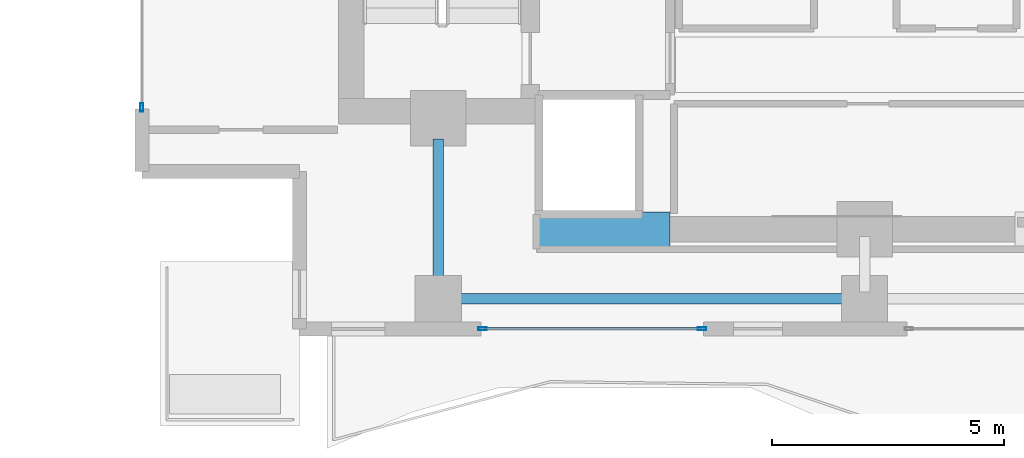
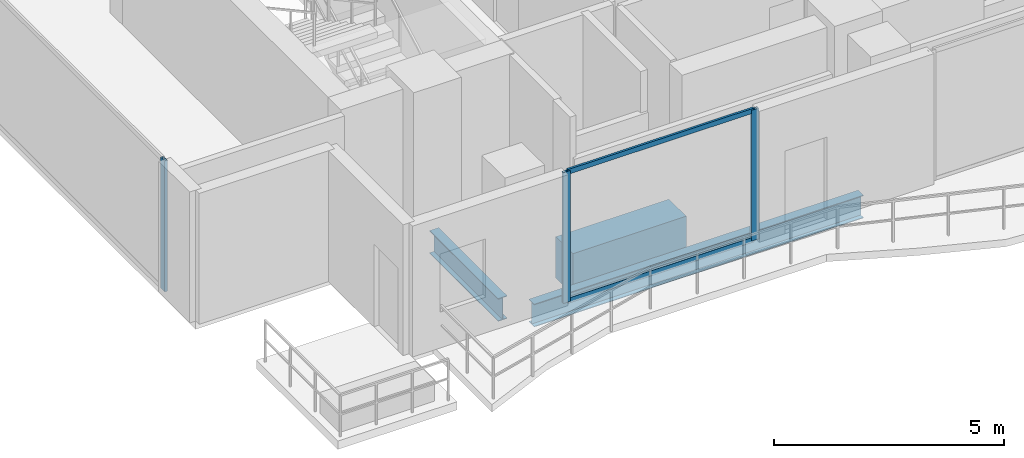
# One storey, part 2 of 25: 5 members, 3 beams, 2 elements without a shape of their own.
"""IFC4 building model written with IfcOpenShell, lengths in metres."""

from ifc_helpers import new_model, si_unit, direction, frame, origin, origin_2d, place, context, subcontext, project, spatial, rectangle, hollow_rectangle, i_section, extrude, material, layer, layer_set, material_profile, profile_set, type_object, element, aggregate, save


model = new_model("IFC4")

# Units and contexts
model_context = context("Model", 3, precision=1e-05, world=origin(), true_north=direction((0.0, 1.0)))
body_context = subcontext(model_context, "Body", "Model", "MODEL_VIEW")
ifc_project = project(units=[si_unit("LENGTHUNIT", "METRE"), si_unit("AREAUNIT", "SQUARE_METRE"), si_unit("VOLUMEUNIT", "CUBIC_METRE"), si_unit("PLANEANGLEUNIT", "RADIAN"), si_unit("MASSUNIT", "GRAM", prefix="KILO")], contexts=[model_context])

# Site, building, storey
site_placement = place(None, origin())
site = spatial("IfcSite", under=ifc_project, at=site_placement, CompositionType="ELEMENT")
building_placement = place(site_placement, origin())
building = spatial("IfcBuilding", under=site, at=building_placement, Name="Zuhayl Quay Hotel", CompositionType="ELEMENT")
storey_placement = place(building_placement, frame((0.0, 0.0, 243.35009765625)))
storey = spatial("IfcBuildingStorey", under=building, at=storey_placement, Name="L61", CompositionType="ELEMENT", Elevation=243.35009765625)

# Beams
ifc_material_1 = material(Name="Steel ASTM A992 Grade 50", Category="steel")
ifc_material_profile_1 = material_profile(ifc_material_1, i_section(OverallWidth=0.22802734375, OverallDepth=0.60693359375, WebThickness=0.01123046875, FlangeThickness=0.017333984375, at=origin_2d()), Name="W24X76")
ifc_profile_set_1 = profile_set([ifc_material_profile_1], Name="Steel ASTM A992 Grade 50")
beam_type_1 = type_object("IfcBeamType", Name="BM_B3_W24X76", PredefinedType="BEAM", material=ifc_profile_set_1)
beam_1_placement = place(storey_placement, frame((-13.340087890625, 0.64990234375, -0.523681640625), z_axis=(1.0, 0.0, 0.0), x_axis=(0.0, 1.0, 0.0)))
element("IfcBeam", 1, at=beam_1_placement, inside=storey, type_object=beam_type_1, Name="L61 Floor Beam RG_L61_01", PredefinedType="BEAM", context=body_context, shape_type="SweptSolid", body=[
    extrude(i_section(OverallWidth=0.22802734375, OverallDepth=0.60693359375, WebThickness=0.01123046875, FlangeThickness=0.017333984375, at=origin_2d()), origin(), (0.0, 0.0, 1.0), 8.280029296875),
])
beam_2_placement = place(storey_placement, frame((-13.800048828125, 1.110107421875, -0.523681640625), z_axis=(0.0, 1.0, 0.0), x_axis=(-1.0, 0.0, 0.0)))
element("IfcBeam", 2, at=beam_2_placement, inside=storey, type_object=beam_type_1, Name="L61 Floor Beam FG_S_L61_1", PredefinedType="BEAM", context=body_context, shape_type="SweptSolid", body=[
    extrude(i_section(OverallWidth=0.22802734375, OverallDepth=0.60693359375, WebThickness=0.01123046875, FlangeThickness=0.017333984375, at=origin_2d()), origin(), (0.0, 0.0, 1.0), 2.989990234375),
])
ifc_material_2 = material(Name="Concrete C60/75", Category="concrete")
ifc_material_profile_2 = material_profile(ifc_material_2, rectangle(XDim=0.75, YDim=1.10009765625, at=origin_2d()), Name="RC750X1100")
ifc_profile_set_2 = profile_set([ifc_material_profile_2], Name="Concrete C60/75")
beam_type_2 = type_object("IfcBeamType", Name="BM_CB2_RC750", PredefinedType="T_BEAM", material=ifc_profile_set_2)
beam_3_placement = place(storey_placement, frame((-11.64990234375, 2.14990234375, -0.77001953125), z_axis=(1.0, 0.0, 0.0), x_axis=(0.0, 1.0, 0.0)))
element("IfcBeam", 3, at=beam_3_placement, inside=storey, type_object=beam_type_2, Name="L61 Core Coupling Beam SW", PredefinedType="T_BEAM", context=body_context, shape_type="SweptSolid", body=[
    extrude(rectangle(XDim=0.75, YDim=1.10009765625, at=origin_2d()), origin(), (0.0, 0.0, 1.0), 2.849853515625),
])

# Curtain wall, member
ifc_material_3 = material(Name="Anodised Aluminium 6063-T6", Category="aluminium")
ifc_layer = layer(ifc_material_3, 0.169921875, Name="Anodised Aluminium 6063-T6", Category="aluminium")
ifc_layer_set = layer_set([ifc_layer], Name="Anodised Aluminium 6063-T6")
curtain_wall_type = type_object("IfcCurtainWallType", Name="CW_SYS_Z4", PredefinedType="USERDEFINED", material=ifc_layer_set)
curtain_wall_1_placement = place(storey_placement, origin())
curtain_wall_1 = element("IfcCurtainWall", 4, at=curtain_wall_1_placement, inside=storey, type_object=curtain_wall_type, Name="L61 Curtain Wall ENV_L61_E02_CW1", ObjectType="UNITISED CURTAIN WALL", PredefinedType="USERDEFINED")
ifc_material_4 = material(Name="Black-anodised aluminium 6063-T6", Category="aluminium")
ifc_material_profile_3 = material_profile(ifc_material_4, hollow_rectangle(XDim=0.06494140625, YDim=0.179931640625, WallThickness=0.00341796875, at=origin_2d()), Name="ALU180X65")
ifc_profile_set_3 = profile_set([ifc_material_profile_3], Name="Black-anodised aluminium 6063-T6")
member_type_1 = type_object("IfcMemberType", Name="MB_CW_MUL_180", PredefinedType="MULLION", material=ifc_profile_set_3)
member_1_placement = place(storey_placement, frame((-20.199951171875, 4.782470703125, 0.0), z_axis=(0.0, 0.0, 1.0), x_axis=(-1.0, 0.0, 0.0)))
member_1 = element("IfcMember", 5, at=member_1_placement, type_object=member_type_1, Name="CW-Z4 mullion 1", PredefinedType="MULLION", context=body_context, shape_type="SweptSolid", body=[
    extrude(hollow_rectangle(XDim=0.06494140625, YDim=0.179931640625, WallThickness=0.00341796875, at=origin_2d()), origin(), (0.0, 0.0, 1.0), 3.47998046875),
])
aggregate(curtain_wall_1, [member_1])

# Curtain wall, members
curtain_wall_2_placement = place(storey_placement, origin())
curtain_wall_2 = element("IfcCurtainWall", 6, at=curtain_wall_2_placement, inside=storey, type_object=curtain_wall_type, Name="L61 Curtain Wall ENV_L61_S_CW4", ObjectType="UNITISED CURTAIN WALL", PredefinedType="USERDEFINED")
member_2_placement = place(storey_placement, frame((-8.107421875, 0.0, 0.0), z_axis=(0.0, 0.0, 1.0), x_axis=(0.0, -1.0, 0.0)))
member_2 = element("IfcMember", 7, at=member_2_placement, type_object=member_type_1, Name="CW-Z4 mullion 1", PredefinedType="MULLION", context=body_context, shape_type="SweptSolid", body=[
    extrude(hollow_rectangle(XDim=0.06494140625, YDim=0.179931640625, WallThickness=0.00341796875, at=origin_2d()), origin(), (0.0, 0.0, 1.0), 3.47998046875),
])
member_3_placement = place(storey_placement, frame((-12.847412109375, 0.0, 0.0), z_axis=(0.0, 0.0, 1.0), x_axis=(0.0, -1.0, 0.0)))
member_3 = element("IfcMember", 8, at=member_3_placement, type_object=member_type_1, Name="CW-Z4 mullion 2", PredefinedType="MULLION", context=body_context, shape_type="SweptSolid", body=[
    extrude(hollow_rectangle(XDim=0.06494140625, YDim=0.179931640625, WallThickness=0.00341796875, at=origin_2d()), origin(), (0.0, 0.0, 1.0), 3.47998046875),
])
ifc_material_profile_4 = material_profile(ifc_material_4, hollow_rectangle(XDim=0.054931640625, YDim=0.1298828125, WallThickness=0.0029296875, at=origin_2d()), Name="ALU130X55")
ifc_profile_set_4 = profile_set([ifc_material_profile_4], Name="Black-anodised aluminium 6063-T6")
member_type_2 = type_object("IfcMemberType", Name="MB_CW_TRN_130", PredefinedType="USERDEFINED", material=ifc_profile_set_4)
member_4_placement = place(storey_placement, frame((-8.139892578125, 0.0, 0.02734375), z_axis=(-1.0, 0.0, 0.0), x_axis=(0.0, -1.0, 0.0)))
member_4 = element("IfcMember", 9, at=member_4_placement, type_object=member_type_2, Name="CW-Z4 transom 1.1", ObjectType="TRANSOM", PredefinedType="USERDEFINED", context=body_context, shape_type="SweptSolid", body=[
    extrude(hollow_rectangle(XDim=0.054931640625, YDim=0.1298828125, WallThickness=0.0029296875, at=origin_2d()), origin(), (0.0, 0.0, 1.0), 4.675048828125),
])
member_5_placement = place(storey_placement, frame((-8.139892578125, 0.0, 3.452392578125), z_axis=(-1.0, 0.0, 0.0), x_axis=(0.0, -1.0, 0.0)))
member_5 = element("IfcMember", 10, at=member_5_placement, type_object=member_type_2, Name="CW-Z4 transom 1.2", ObjectType="TRANSOM", PredefinedType="USERDEFINED", context=body_context, shape_type="SweptSolid", body=[
    extrude(hollow_rectangle(XDim=0.054931640625, YDim=0.1298828125, WallThickness=0.0029296875, at=origin_2d()), origin(), (0.0, 0.0, 1.0), 4.675048828125),
])
aggregate(curtain_wall_2, [member_2, member_3, member_4, member_5])

save(model, "model.ifc")
